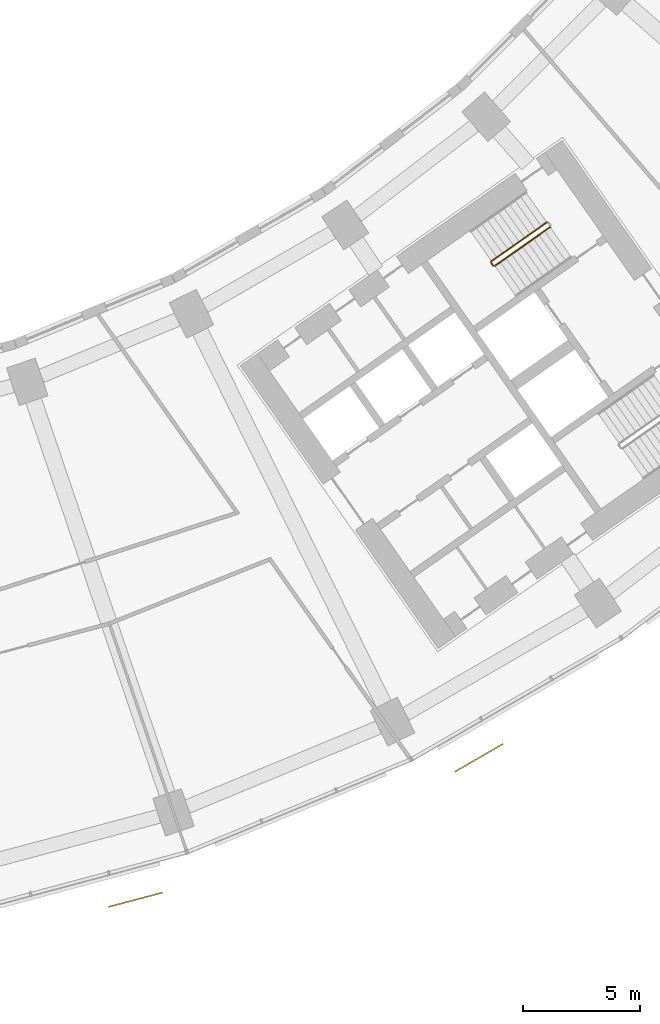
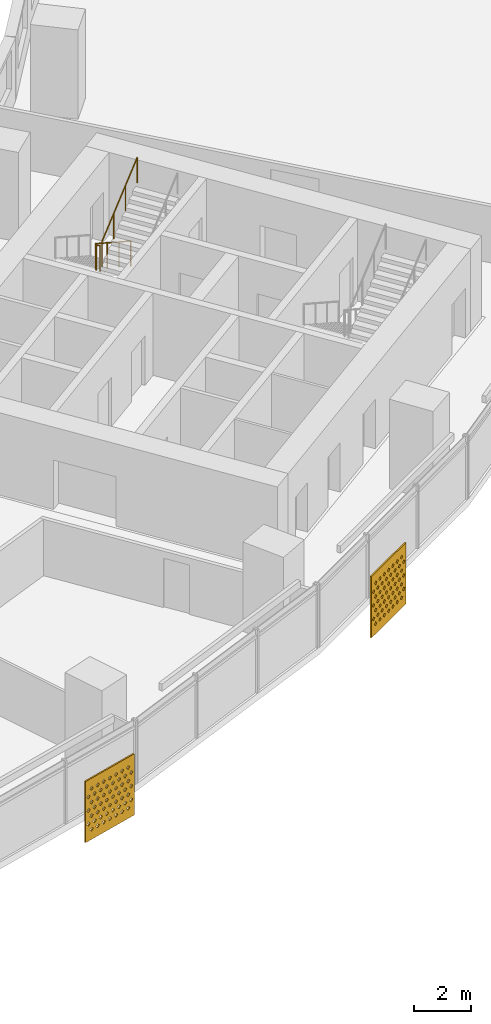
# One storey, part 29 of 31: 2 railings, 2 shading devices.
"""IFC4 building model written with IfcOpenShell, lengths in metres."""

from ifc_helpers import new_model, si_unit, direction, frame, origin, origin_2d, place, context, subcontext, project, spatial, polyline, circle, outline, extrude, material, material_profile, profile_set, type_object, element, save


model = new_model("IFC4")

# Units and contexts
model_context = context("Model", 3, precision=1e-05, world=origin(), true_north=direction((0.0, 1.0)))
body_context = subcontext(model_context, "Body", "Model", "MODEL_VIEW")
ifc_project = project(units=[si_unit("LENGTHUNIT", "METRE"), si_unit("AREAUNIT", "SQUARE_METRE"), si_unit("VOLUMEUNIT", "CUBIC_METRE"), si_unit("PLANEANGLEUNIT", "RADIAN"), si_unit("MASSUNIT", "GRAM", prefix="KILO")], contexts=[model_context])

# Site, building, storey
site_placement = place(None, origin())
site = spatial("IfcSite", under=ifc_project, at=site_placement, CompositionType="ELEMENT")
building_placement = place(site_placement, origin())
building = spatial("IfcBuilding", under=site, at=building_placement, Name="Qamariyya Broadcast Tower", CompositionType="ELEMENT")
storey_placement = place(building_placement, frame((0.0, 0.0, 82.300048828125)))
storey = spatial("IfcBuildingStorey", under=building, at=storey_placement, Name="L17", CompositionType="ELEMENT", Elevation=82.300048828125)

# Shading devices
ifc_material_1 = material(Name="Perforated glazed terracotta", Category="masonry")
ifc_material_profile = material_profile(ifc_material_1, outline(polyline([(-1.199951171875, -1.300048828125), (1.199951171875, -1.300048828125), (1.199951171875, 1.300048828125), (-1.199951171875, 1.300048828125), (-1.199951171875, -1.300048828125)]), holes=[polyline([(-0.81494140625, -0.86669921875), (-0.89990234375, -0.78173828125), (-0.985107421875, -0.86669921875), (-0.89990234375, -0.95166015625), (-0.81494140625, -0.86669921875)]), polyline([(-0.514892578125, -0.86669921875), (-0.60009765625, -0.78173828125), (-0.68505859375, -0.86669921875), (-0.60009765625, -0.95166015625), (-0.514892578125, -0.86669921875)]), polyline([(-0.215087890625, -0.86669921875), (-0.300048828125, -0.78173828125), (-0.385009765625, -0.86669921875), (-0.300048828125, -0.95166015625), (-0.215087890625, -0.86669921875)]), polyline([(0.0849609375, -0.86669921875), (0.0, -0.78173828125), (-0.0849609375, -0.86669921875), (0.0, -0.95166015625), (0.0849609375, -0.86669921875)]), polyline([(0.385009765625, -0.86669921875), (0.300048828125, -0.78173828125), (0.215087890625, -0.86669921875), (0.300048828125, -0.95166015625), (0.385009765625, -0.86669921875)]), polyline([(0.68505859375, -0.86669921875), (0.60009765625, -0.78173828125), (0.514892578125, -0.86669921875), (0.60009765625, -0.95166015625), (0.68505859375, -0.86669921875)]), polyline([(0.985107421875, -0.86669921875), (0.89990234375, -0.78173828125), (0.81494140625, -0.86669921875), (0.89990234375, -0.95166015625), (0.985107421875, -0.86669921875)]), polyline([(-0.965087890625, -0.577880859375), (-1.050048828125, -0.49267578125), (-1.135009765625, -0.577880859375), (-1.050048828125, -0.662841796875), (-0.965087890625, -0.577880859375)]), polyline([(-0.6650390625, -0.577880859375), (-0.75, -0.49267578125), (-0.8349609375, -0.577880859375), (-0.75, -0.662841796875), (-0.6650390625, -0.577880859375)]), polyline([(-0.364990234375, -0.577880859375), (-0.449951171875, -0.49267578125), (-0.534912109375, -0.577880859375), (-0.449951171875, -0.662841796875), (-0.364990234375, -0.577880859375)]), polyline([(-0.06494140625, -0.577880859375), (-0.14990234375, -0.49267578125), (-0.235107421875, -0.577880859375), (-0.14990234375, -0.662841796875), (-0.06494140625, -0.577880859375)]), polyline([(0.235107421875, -0.577880859375), (0.14990234375, -0.49267578125), (0.06494140625, -0.577880859375), (0.14990234375, -0.662841796875), (0.235107421875, -0.577880859375)]), polyline([(0.534912109375, -0.577880859375), (0.449951171875, -0.49267578125), (0.364990234375, -0.577880859375), (0.449951171875, -0.662841796875), (0.534912109375, -0.577880859375)]), polyline([(0.8349609375, -0.577880859375), (0.75, -0.49267578125), (0.6650390625, -0.577880859375), (0.75, -0.662841796875), (0.8349609375, -0.577880859375)]), polyline([(1.135009765625, -0.577880859375), (1.050048828125, -0.49267578125), (0.965087890625, -0.577880859375), (1.050048828125, -0.662841796875), (1.135009765625, -0.577880859375)]), polyline([(-0.81494140625, -0.288818359375), (-0.89990234375, -0.203857421875), (-0.985107421875, -0.288818359375), (-0.89990234375, -0.373779296875), (-0.81494140625, -0.288818359375)]), polyline([(-0.514892578125, -0.288818359375), (-0.60009765625, -0.203857421875), (-0.68505859375, -0.288818359375), (-0.60009765625, -0.373779296875), (-0.514892578125, -0.288818359375)]), polyline([(-0.215087890625, -0.288818359375), (-0.300048828125, -0.203857421875), (-0.385009765625, -0.288818359375), (-0.300048828125, -0.373779296875), (-0.215087890625, -0.288818359375)]), polyline([(0.0849609375, -0.288818359375), (0.0, -0.203857421875), (-0.0849609375, -0.288818359375), (0.0, -0.373779296875), (0.0849609375, -0.288818359375)]), polyline([(0.385009765625, -0.288818359375), (0.300048828125, -0.203857421875), (0.215087890625, -0.288818359375), (0.300048828125, -0.373779296875), (0.385009765625, -0.288818359375)]), polyline([(0.68505859375, -0.288818359375), (0.60009765625, -0.203857421875), (0.514892578125, -0.288818359375), (0.60009765625, -0.373779296875), (0.68505859375, -0.288818359375)]), polyline([(0.985107421875, -0.288818359375), (0.89990234375, -0.203857421875), (0.81494140625, -0.288818359375), (0.89990234375, -0.373779296875), (0.985107421875, -0.288818359375)]), polyline([(-0.965087890625, 0.0), (-1.050048828125, 0.0849609375), (-1.135009765625, 0.0), (-1.050048828125, -0.0849609375), (-0.965087890625, 0.0)]), polyline([(-0.6650390625, 0.0), (-0.75, 0.0849609375), (-0.8349609375, 0.0), (-0.75, -0.0849609375), (-0.6650390625, 0.0)]), polyline([(-0.364990234375, 0.0), (-0.449951171875, 0.0849609375), (-0.534912109375, 0.0), (-0.449951171875, -0.0849609375), (-0.364990234375, 0.0)]), polyline([(-0.06494140625, 0.0), (-0.14990234375, 0.0849609375), (-0.235107421875, 0.0), (-0.14990234375, -0.0849609375), (-0.06494140625, 0.0)]), polyline([(0.235107421875, 0.0), (0.14990234375, 0.0849609375), (0.06494140625, 0.0), (0.14990234375, -0.0849609375), (0.235107421875, 0.0)]), polyline([(0.534912109375, 0.0), (0.449951171875, 0.0849609375), (0.364990234375, 0.0), (0.449951171875, -0.0849609375), (0.534912109375, 0.0)]), polyline([(0.8349609375, 0.0), (0.75, 0.0849609375), (0.6650390625, 0.0), (0.75, -0.0849609375), (0.8349609375, 0.0)]), polyline([(1.135009765625, 0.0), (1.050048828125, 0.0849609375), (0.965087890625, 0.0), (1.050048828125, -0.0849609375), (1.135009765625, 0.0)]), polyline([(-0.81494140625, 0.288818359375), (-0.89990234375, 0.373779296875), (-0.985107421875, 0.288818359375), (-0.89990234375, 0.203857421875), (-0.81494140625, 0.288818359375)]), polyline([(-0.514892578125, 0.288818359375), (-0.60009765625, 0.373779296875), (-0.68505859375, 0.288818359375), (-0.60009765625, 0.203857421875), (-0.514892578125, 0.288818359375)]), polyline([(-0.215087890625, 0.288818359375), (-0.300048828125, 0.373779296875), (-0.385009765625, 0.288818359375), (-0.300048828125, 0.203857421875), (-0.215087890625, 0.288818359375)]), polyline([(0.0849609375, 0.288818359375), (0.0, 0.373779296875), (-0.0849609375, 0.288818359375), (0.0, 0.203857421875), (0.0849609375, 0.288818359375)]), polyline([(0.385009765625, 0.288818359375), (0.300048828125, 0.373779296875), (0.215087890625, 0.288818359375), (0.300048828125, 0.203857421875), (0.385009765625, 0.288818359375)]), polyline([(0.68505859375, 0.288818359375), (0.60009765625, 0.373779296875), (0.514892578125, 0.288818359375), (0.60009765625, 0.203857421875), (0.68505859375, 0.288818359375)]), polyline([(0.985107421875, 0.288818359375), (0.89990234375, 0.373779296875), (0.81494140625, 0.288818359375), (0.89990234375, 0.203857421875), (0.985107421875, 0.288818359375)]), polyline([(-0.965087890625, 0.577880859375), (-1.050048828125, 0.662841796875), (-1.135009765625, 0.577880859375), (-1.050048828125, 0.49267578125), (-0.965087890625, 0.577880859375)]), polyline([(-0.6650390625, 0.577880859375), (-0.75, 0.662841796875), (-0.8349609375, 0.577880859375), (-0.75, 0.49267578125), (-0.6650390625, 0.577880859375)]), polyline([(-0.364990234375, 0.577880859375), (-0.449951171875, 0.662841796875), (-0.534912109375, 0.577880859375), (-0.449951171875, 0.49267578125), (-0.364990234375, 0.577880859375)]), polyline([(-0.06494140625, 0.577880859375), (-0.14990234375, 0.662841796875), (-0.235107421875, 0.577880859375), (-0.14990234375, 0.49267578125), (-0.06494140625, 0.577880859375)]), polyline([(0.235107421875, 0.577880859375), (0.14990234375, 0.662841796875), (0.06494140625, 0.577880859375), (0.14990234375, 0.49267578125), (0.235107421875, 0.577880859375)]), polyline([(0.534912109375, 0.577880859375), (0.449951171875, 0.662841796875), (0.364990234375, 0.577880859375), (0.449951171875, 0.49267578125), (0.534912109375, 0.577880859375)]), polyline([(0.8349609375, 0.577880859375), (0.75, 0.662841796875), (0.6650390625, 0.577880859375), (0.75, 0.49267578125), (0.8349609375, 0.577880859375)]), polyline([(1.135009765625, 0.577880859375), (1.050048828125, 0.662841796875), (0.965087890625, 0.577880859375), (1.050048828125, 0.49267578125), (1.135009765625, 0.577880859375)]), polyline([(-0.81494140625, 0.86669921875), (-0.89990234375, 0.95166015625), (-0.985107421875, 0.86669921875), (-0.89990234375, 0.78173828125), (-0.81494140625, 0.86669921875)]), polyline([(-0.514892578125, 0.86669921875), (-0.60009765625, 0.95166015625), (-0.68505859375, 0.86669921875), (-0.60009765625, 0.78173828125), (-0.514892578125, 0.86669921875)]), polyline([(-0.215087890625, 0.86669921875), (-0.300048828125, 0.95166015625), (-0.385009765625, 0.86669921875), (-0.300048828125, 0.78173828125), (-0.215087890625, 0.86669921875)]), polyline([(0.0849609375, 0.86669921875), (0.0, 0.95166015625), (-0.0849609375, 0.86669921875), (0.0, 0.78173828125), (0.0849609375, 0.86669921875)]), polyline([(0.385009765625, 0.86669921875), (0.300048828125, 0.95166015625), (0.215087890625, 0.86669921875), (0.300048828125, 0.78173828125), (0.385009765625, 0.86669921875)]), polyline([(0.68505859375, 0.86669921875), (0.60009765625, 0.95166015625), (0.514892578125, 0.86669921875), (0.60009765625, 0.78173828125), (0.68505859375, 0.86669921875)]), polyline([(0.985107421875, 0.86669921875), (0.89990234375, 0.95166015625), (0.81494140625, 0.86669921875), (0.89990234375, 0.78173828125), (0.985107421875, 0.86669921875)])]))
ifc_profile_set = profile_set([ifc_material_profile], Name="Perforated glazed terracotta")
shading_device_type = type_object("IfcShadingDeviceType", Name="Perforated terracotta screen 2400 x 2600", PredefinedType="USERDEFINED", material=ifc_profile_set)
shading_device_1_placement = place(storey_placement, frame((23.364990234375, -77.33740234375, 1.349853515625), z_axis=(0.256901156343, -0.966437683387, 0.0), x_axis=(0.966437683387, 0.256901156343, 0.0)))
element("IfcShadingDevice", 1, at=shading_device_1_placement, inside=storey, type_object=shading_device_type, Name="e-scr-L17-10-2", ObjectType="SCREEN", PredefinedType="USERDEFINED", context=body_context, shape_type="SweptSolid", body=[
    extrude(outline(polyline([(-1.199951171875, -1.300048828125), (1.199951171875, -1.300048828125), (1.199951171875, 1.300048828125), (-1.199951171875, 1.300048828125), (-1.199951171875, -1.300048828125)]), holes=[polyline([(-0.81494140625, -0.86669921875), (-0.89990234375, -0.78173828125), (-0.985107421875, -0.86669921875), (-0.89990234375, -0.95166015625), (-0.81494140625, -0.86669921875)]), polyline([(-0.514892578125, -0.86669921875), (-0.60009765625, -0.78173828125), (-0.68505859375, -0.86669921875), (-0.60009765625, -0.95166015625), (-0.514892578125, -0.86669921875)]), polyline([(-0.215087890625, -0.86669921875), (-0.300048828125, -0.78173828125), (-0.385009765625, -0.86669921875), (-0.300048828125, -0.95166015625), (-0.215087890625, -0.86669921875)]), polyline([(0.0849609375, -0.86669921875), (0.0, -0.78173828125), (-0.0849609375, -0.86669921875), (0.0, -0.95166015625), (0.0849609375, -0.86669921875)]), polyline([(0.385009765625, -0.86669921875), (0.300048828125, -0.78173828125), (0.215087890625, -0.86669921875), (0.300048828125, -0.95166015625), (0.385009765625, -0.86669921875)]), polyline([(0.68505859375, -0.86669921875), (0.60009765625, -0.78173828125), (0.514892578125, -0.86669921875), (0.60009765625, -0.95166015625), (0.68505859375, -0.86669921875)]), polyline([(0.985107421875, -0.86669921875), (0.89990234375, -0.78173828125), (0.81494140625, -0.86669921875), (0.89990234375, -0.95166015625), (0.985107421875, -0.86669921875)]), polyline([(-0.965087890625, -0.577880859375), (-1.050048828125, -0.49267578125), (-1.135009765625, -0.577880859375), (-1.050048828125, -0.662841796875), (-0.965087890625, -0.577880859375)]), polyline([(-0.6650390625, -0.577880859375), (-0.75, -0.49267578125), (-0.8349609375, -0.577880859375), (-0.75, -0.662841796875), (-0.6650390625, -0.577880859375)]), polyline([(-0.364990234375, -0.577880859375), (-0.449951171875, -0.49267578125), (-0.534912109375, -0.577880859375), (-0.449951171875, -0.662841796875), (-0.364990234375, -0.577880859375)]), polyline([(-0.06494140625, -0.577880859375), (-0.14990234375, -0.49267578125), (-0.235107421875, -0.577880859375), (-0.14990234375, -0.662841796875), (-0.06494140625, -0.577880859375)]), polyline([(0.235107421875, -0.577880859375), (0.14990234375, -0.49267578125), (0.06494140625, -0.577880859375), (0.14990234375, -0.662841796875), (0.235107421875, -0.577880859375)]), polyline([(0.534912109375, -0.577880859375), (0.449951171875, -0.49267578125), (0.364990234375, -0.577880859375), (0.449951171875, -0.662841796875), (0.534912109375, -0.577880859375)]), polyline([(0.8349609375, -0.577880859375), (0.75, -0.49267578125), (0.6650390625, -0.577880859375), (0.75, -0.662841796875), (0.8349609375, -0.577880859375)]), polyline([(1.135009765625, -0.577880859375), (1.050048828125, -0.49267578125), (0.965087890625, -0.577880859375), (1.050048828125, -0.662841796875), (1.135009765625, -0.577880859375)]), polyline([(-0.81494140625, -0.288818359375), (-0.89990234375, -0.203857421875), (-0.985107421875, -0.288818359375), (-0.89990234375, -0.373779296875), (-0.81494140625, -0.288818359375)]), polyline([(-0.514892578125, -0.288818359375), (-0.60009765625, -0.203857421875), (-0.68505859375, -0.288818359375), (-0.60009765625, -0.373779296875), (-0.514892578125, -0.288818359375)]), polyline([(-0.215087890625, -0.288818359375), (-0.300048828125, -0.203857421875), (-0.385009765625, -0.288818359375), (-0.300048828125, -0.373779296875), (-0.215087890625, -0.288818359375)]), polyline([(0.0849609375, -0.288818359375), (0.0, -0.203857421875), (-0.0849609375, -0.288818359375), (0.0, -0.373779296875), (0.0849609375, -0.288818359375)]), polyline([(0.385009765625, -0.288818359375), (0.300048828125, -0.203857421875), (0.215087890625, -0.288818359375), (0.300048828125, -0.373779296875), (0.385009765625, -0.288818359375)]), polyline([(0.68505859375, -0.288818359375), (0.60009765625, -0.203857421875), (0.514892578125, -0.288818359375), (0.60009765625, -0.373779296875), (0.68505859375, -0.288818359375)]), polyline([(0.985107421875, -0.288818359375), (0.89990234375, -0.203857421875), (0.81494140625, -0.288818359375), (0.89990234375, -0.373779296875), (0.985107421875, -0.288818359375)]), polyline([(-0.965087890625, 0.0), (-1.050048828125, 0.0849609375), (-1.135009765625, 0.0), (-1.050048828125, -0.0849609375), (-0.965087890625, 0.0)]), polyline([(-0.6650390625, 0.0), (-0.75, 0.0849609375), (-0.8349609375, 0.0), (-0.75, -0.0849609375), (-0.6650390625, 0.0)]), polyline([(-0.364990234375, 0.0), (-0.449951171875, 0.0849609375), (-0.534912109375, 0.0), (-0.449951171875, -0.0849609375), (-0.364990234375, 0.0)]), polyline([(-0.06494140625, 0.0), (-0.14990234375, 0.0849609375), (-0.235107421875, 0.0), (-0.14990234375, -0.0849609375), (-0.06494140625, 0.0)]), polyline([(0.235107421875, 0.0), (0.14990234375, 0.0849609375), (0.06494140625, 0.0), (0.14990234375, -0.0849609375), (0.235107421875, 0.0)]), polyline([(0.534912109375, 0.0), (0.449951171875, 0.0849609375), (0.364990234375, 0.0), (0.449951171875, -0.0849609375), (0.534912109375, 0.0)]), polyline([(0.8349609375, 0.0), (0.75, 0.0849609375), (0.6650390625, 0.0), (0.75, -0.0849609375), (0.8349609375, 0.0)]), polyline([(1.135009765625, 0.0), (1.050048828125, 0.0849609375), (0.965087890625, 0.0), (1.050048828125, -0.0849609375), (1.135009765625, 0.0)]), polyline([(-0.81494140625, 0.288818359375), (-0.89990234375, 0.373779296875), (-0.985107421875, 0.288818359375), (-0.89990234375, 0.203857421875), (-0.81494140625, 0.288818359375)]), polyline([(-0.514892578125, 0.288818359375), (-0.60009765625, 0.373779296875), (-0.68505859375, 0.288818359375), (-0.60009765625, 0.203857421875), (-0.514892578125, 0.288818359375)]), polyline([(-0.215087890625, 0.288818359375), (-0.300048828125, 0.373779296875), (-0.385009765625, 0.288818359375), (-0.300048828125, 0.203857421875), (-0.215087890625, 0.288818359375)]), polyline([(0.0849609375, 0.288818359375), (0.0, 0.373779296875), (-0.0849609375, 0.288818359375), (0.0, 0.203857421875), (0.0849609375, 0.288818359375)]), polyline([(0.385009765625, 0.288818359375), (0.300048828125, 0.373779296875), (0.215087890625, 0.288818359375), (0.300048828125, 0.203857421875), (0.385009765625, 0.288818359375)]), polyline([(0.68505859375, 0.288818359375), (0.60009765625, 0.373779296875), (0.514892578125, 0.288818359375), (0.60009765625, 0.203857421875), (0.68505859375, 0.288818359375)]), polyline([(0.985107421875, 0.288818359375), (0.89990234375, 0.373779296875), (0.81494140625, 0.288818359375), (0.89990234375, 0.203857421875), (0.985107421875, 0.288818359375)]), polyline([(-0.965087890625, 0.577880859375), (-1.050048828125, 0.662841796875), (-1.135009765625, 0.577880859375), (-1.050048828125, 0.49267578125), (-0.965087890625, 0.577880859375)]), polyline([(-0.6650390625, 0.577880859375), (-0.75, 0.662841796875), (-0.8349609375, 0.577880859375), (-0.75, 0.49267578125), (-0.6650390625, 0.577880859375)]), polyline([(-0.364990234375, 0.577880859375), (-0.449951171875, 0.662841796875), (-0.534912109375, 0.577880859375), (-0.449951171875, 0.49267578125), (-0.364990234375, 0.577880859375)]), polyline([(-0.06494140625, 0.577880859375), (-0.14990234375, 0.662841796875), (-0.235107421875, 0.577880859375), (-0.14990234375, 0.49267578125), (-0.06494140625, 0.577880859375)]), polyline([(0.235107421875, 0.577880859375), (0.14990234375, 0.662841796875), (0.06494140625, 0.577880859375), (0.14990234375, 0.49267578125), (0.235107421875, 0.577880859375)]), polyline([(0.534912109375, 0.577880859375), (0.449951171875, 0.662841796875), (0.364990234375, 0.577880859375), (0.449951171875, 0.49267578125), (0.534912109375, 0.577880859375)]), polyline([(0.8349609375, 0.577880859375), (0.75, 0.662841796875), (0.6650390625, 0.577880859375), (0.75, 0.49267578125), (0.8349609375, 0.577880859375)]), polyline([(1.135009765625, 0.577880859375), (1.050048828125, 0.662841796875), (0.965087890625, 0.577880859375), (1.050048828125, 0.49267578125), (1.135009765625, 0.577880859375)]), polyline([(-0.81494140625, 0.86669921875), (-0.89990234375, 0.95166015625), (-0.985107421875, 0.86669921875), (-0.89990234375, 0.78173828125), (-0.81494140625, 0.86669921875)]), polyline([(-0.514892578125, 0.86669921875), (-0.60009765625, 0.95166015625), (-0.68505859375, 0.86669921875), (-0.60009765625, 0.78173828125), (-0.514892578125, 0.86669921875)]), polyline([(-0.215087890625, 0.86669921875), (-0.300048828125, 0.95166015625), (-0.385009765625, 0.86669921875), (-0.300048828125, 0.78173828125), (-0.215087890625, 0.86669921875)]), polyline([(0.0849609375, 0.86669921875), (0.0, 0.95166015625), (-0.0849609375, 0.86669921875), (0.0, 0.78173828125), (0.0849609375, 0.86669921875)]), polyline([(0.385009765625, 0.86669921875), (0.300048828125, 0.95166015625), (0.215087890625, 0.86669921875), (0.300048828125, 0.78173828125), (0.385009765625, 0.86669921875)]), polyline([(0.68505859375, 0.86669921875), (0.60009765625, 0.95166015625), (0.514892578125, 0.86669921875), (0.60009765625, 0.78173828125), (0.68505859375, 0.86669921875)]), polyline([(0.985107421875, 0.86669921875), (0.89990234375, 0.95166015625), (0.81494140625, 0.86669921875), (0.89990234375, 0.78173828125), (0.985107421875, 0.86669921875)])]), origin(), (0.0, 0.0, 1.0), 0.059814453125),
])
shading_device_2_placement = place(storey_placement, frame((38.07373046875, -71.259521484375, 1.349853515625), z_axis=(0.500074377092, -0.865982457891, 0.0), x_axis=(0.865982457891, 0.500074377092, 0.0)))
element("IfcShadingDevice", 2, at=shading_device_2_placement, inside=storey, type_object=shading_device_type, Name="e-scr-L17-12-0", ObjectType="SCREEN", PredefinedType="USERDEFINED", context=body_context, shape_type="SweptSolid", body=[
    extrude(outline(polyline([(-1.199951171875, -1.300048828125), (1.199951171875, -1.300048828125), (1.199951171875, 1.300048828125), (-1.199951171875, 1.300048828125), (-1.199951171875, -1.300048828125)]), holes=[polyline([(-0.81494140625, -0.86669921875), (-0.89990234375, -0.78173828125), (-0.985107421875, -0.86669921875), (-0.89990234375, -0.95166015625), (-0.81494140625, -0.86669921875)]), polyline([(-0.514892578125, -0.86669921875), (-0.60009765625, -0.78173828125), (-0.68505859375, -0.86669921875), (-0.60009765625, -0.95166015625), (-0.514892578125, -0.86669921875)]), polyline([(-0.215087890625, -0.86669921875), (-0.300048828125, -0.78173828125), (-0.385009765625, -0.86669921875), (-0.300048828125, -0.95166015625), (-0.215087890625, -0.86669921875)]), polyline([(0.0849609375, -0.86669921875), (0.0, -0.78173828125), (-0.0849609375, -0.86669921875), (0.0, -0.95166015625), (0.0849609375, -0.86669921875)]), polyline([(0.385009765625, -0.86669921875), (0.300048828125, -0.78173828125), (0.215087890625, -0.86669921875), (0.300048828125, -0.95166015625), (0.385009765625, -0.86669921875)]), polyline([(0.68505859375, -0.86669921875), (0.60009765625, -0.78173828125), (0.514892578125, -0.86669921875), (0.60009765625, -0.95166015625), (0.68505859375, -0.86669921875)]), polyline([(0.985107421875, -0.86669921875), (0.89990234375, -0.78173828125), (0.81494140625, -0.86669921875), (0.89990234375, -0.95166015625), (0.985107421875, -0.86669921875)]), polyline([(-0.965087890625, -0.577880859375), (-1.050048828125, -0.49267578125), (-1.135009765625, -0.577880859375), (-1.050048828125, -0.662841796875), (-0.965087890625, -0.577880859375)]), polyline([(-0.6650390625, -0.577880859375), (-0.75, -0.49267578125), (-0.8349609375, -0.577880859375), (-0.75, -0.662841796875), (-0.6650390625, -0.577880859375)]), polyline([(-0.364990234375, -0.577880859375), (-0.449951171875, -0.49267578125), (-0.534912109375, -0.577880859375), (-0.449951171875, -0.662841796875), (-0.364990234375, -0.577880859375)]), polyline([(-0.06494140625, -0.577880859375), (-0.14990234375, -0.49267578125), (-0.235107421875, -0.577880859375), (-0.14990234375, -0.662841796875), (-0.06494140625, -0.577880859375)]), polyline([(0.235107421875, -0.577880859375), (0.14990234375, -0.49267578125), (0.06494140625, -0.577880859375), (0.14990234375, -0.662841796875), (0.235107421875, -0.577880859375)]), polyline([(0.534912109375, -0.577880859375), (0.449951171875, -0.49267578125), (0.364990234375, -0.577880859375), (0.449951171875, -0.662841796875), (0.534912109375, -0.577880859375)]), polyline([(0.8349609375, -0.577880859375), (0.75, -0.49267578125), (0.6650390625, -0.577880859375), (0.75, -0.662841796875), (0.8349609375, -0.577880859375)]), polyline([(1.135009765625, -0.577880859375), (1.050048828125, -0.49267578125), (0.965087890625, -0.577880859375), (1.050048828125, -0.662841796875), (1.135009765625, -0.577880859375)]), polyline([(-0.81494140625, -0.288818359375), (-0.89990234375, -0.203857421875), (-0.985107421875, -0.288818359375), (-0.89990234375, -0.373779296875), (-0.81494140625, -0.288818359375)]), polyline([(-0.514892578125, -0.288818359375), (-0.60009765625, -0.203857421875), (-0.68505859375, -0.288818359375), (-0.60009765625, -0.373779296875), (-0.514892578125, -0.288818359375)]), polyline([(-0.215087890625, -0.288818359375), (-0.300048828125, -0.203857421875), (-0.385009765625, -0.288818359375), (-0.300048828125, -0.373779296875), (-0.215087890625, -0.288818359375)]), polyline([(0.0849609375, -0.288818359375), (0.0, -0.203857421875), (-0.0849609375, -0.288818359375), (0.0, -0.373779296875), (0.0849609375, -0.288818359375)]), polyline([(0.385009765625, -0.288818359375), (0.300048828125, -0.203857421875), (0.215087890625, -0.288818359375), (0.300048828125, -0.373779296875), (0.385009765625, -0.288818359375)]), polyline([(0.68505859375, -0.288818359375), (0.60009765625, -0.203857421875), (0.514892578125, -0.288818359375), (0.60009765625, -0.373779296875), (0.68505859375, -0.288818359375)]), polyline([(0.985107421875, -0.288818359375), (0.89990234375, -0.203857421875), (0.81494140625, -0.288818359375), (0.89990234375, -0.373779296875), (0.985107421875, -0.288818359375)]), polyline([(-0.965087890625, 0.0), (-1.050048828125, 0.0849609375), (-1.135009765625, 0.0), (-1.050048828125, -0.0849609375), (-0.965087890625, 0.0)]), polyline([(-0.6650390625, 0.0), (-0.75, 0.0849609375), (-0.8349609375, 0.0), (-0.75, -0.0849609375), (-0.6650390625, 0.0)]), polyline([(-0.364990234375, 0.0), (-0.449951171875, 0.0849609375), (-0.534912109375, 0.0), (-0.449951171875, -0.0849609375), (-0.364990234375, 0.0)]), polyline([(-0.06494140625, 0.0), (-0.14990234375, 0.0849609375), (-0.235107421875, 0.0), (-0.14990234375, -0.0849609375), (-0.06494140625, 0.0)]), polyline([(0.235107421875, 0.0), (0.14990234375, 0.0849609375), (0.06494140625, 0.0), (0.14990234375, -0.0849609375), (0.235107421875, 0.0)]), polyline([(0.534912109375, 0.0), (0.449951171875, 0.0849609375), (0.364990234375, 0.0), (0.449951171875, -0.0849609375), (0.534912109375, 0.0)]), polyline([(0.8349609375, 0.0), (0.75, 0.0849609375), (0.6650390625, 0.0), (0.75, -0.0849609375), (0.8349609375, 0.0)]), polyline([(1.135009765625, 0.0), (1.050048828125, 0.0849609375), (0.965087890625, 0.0), (1.050048828125, -0.0849609375), (1.135009765625, 0.0)]), polyline([(-0.81494140625, 0.288818359375), (-0.89990234375, 0.373779296875), (-0.985107421875, 0.288818359375), (-0.89990234375, 0.203857421875), (-0.81494140625, 0.288818359375)]), polyline([(-0.514892578125, 0.288818359375), (-0.60009765625, 0.373779296875), (-0.68505859375, 0.288818359375), (-0.60009765625, 0.203857421875), (-0.514892578125, 0.288818359375)]), polyline([(-0.215087890625, 0.288818359375), (-0.300048828125, 0.373779296875), (-0.385009765625, 0.288818359375), (-0.300048828125, 0.203857421875), (-0.215087890625, 0.288818359375)]), polyline([(0.0849609375, 0.288818359375), (0.0, 0.373779296875), (-0.0849609375, 0.288818359375), (0.0, 0.203857421875), (0.0849609375, 0.288818359375)]), polyline([(0.385009765625, 0.288818359375), (0.300048828125, 0.373779296875), (0.215087890625, 0.288818359375), (0.300048828125, 0.203857421875), (0.385009765625, 0.288818359375)]), polyline([(0.68505859375, 0.288818359375), (0.60009765625, 0.373779296875), (0.514892578125, 0.288818359375), (0.60009765625, 0.203857421875), (0.68505859375, 0.288818359375)]), polyline([(0.985107421875, 0.288818359375), (0.89990234375, 0.373779296875), (0.81494140625, 0.288818359375), (0.89990234375, 0.203857421875), (0.985107421875, 0.288818359375)]), polyline([(-0.965087890625, 0.577880859375), (-1.050048828125, 0.662841796875), (-1.135009765625, 0.577880859375), (-1.050048828125, 0.49267578125), (-0.965087890625, 0.577880859375)]), polyline([(-0.6650390625, 0.577880859375), (-0.75, 0.662841796875), (-0.8349609375, 0.577880859375), (-0.75, 0.49267578125), (-0.6650390625, 0.577880859375)]), polyline([(-0.364990234375, 0.577880859375), (-0.449951171875, 0.662841796875), (-0.534912109375, 0.577880859375), (-0.449951171875, 0.49267578125), (-0.364990234375, 0.577880859375)]), polyline([(-0.06494140625, 0.577880859375), (-0.14990234375, 0.662841796875), (-0.235107421875, 0.577880859375), (-0.14990234375, 0.49267578125), (-0.06494140625, 0.577880859375)]), polyline([(0.235107421875, 0.577880859375), (0.14990234375, 0.662841796875), (0.06494140625, 0.577880859375), (0.14990234375, 0.49267578125), (0.235107421875, 0.577880859375)]), polyline([(0.534912109375, 0.577880859375), (0.449951171875, 0.662841796875), (0.364990234375, 0.577880859375), (0.449951171875, 0.49267578125), (0.534912109375, 0.577880859375)]), polyline([(0.8349609375, 0.577880859375), (0.75, 0.662841796875), (0.6650390625, 0.577880859375), (0.75, 0.49267578125), (0.8349609375, 0.577880859375)]), polyline([(1.135009765625, 0.577880859375), (1.050048828125, 0.662841796875), (0.965087890625, 0.577880859375), (1.050048828125, 0.49267578125), (1.135009765625, 0.577880859375)]), polyline([(-0.81494140625, 0.86669921875), (-0.89990234375, 0.95166015625), (-0.985107421875, 0.86669921875), (-0.89990234375, 0.78173828125), (-0.81494140625, 0.86669921875)]), polyline([(-0.514892578125, 0.86669921875), (-0.60009765625, 0.95166015625), (-0.68505859375, 0.86669921875), (-0.60009765625, 0.78173828125), (-0.514892578125, 0.86669921875)]), polyline([(-0.215087890625, 0.86669921875), (-0.300048828125, 0.95166015625), (-0.385009765625, 0.86669921875), (-0.300048828125, 0.78173828125), (-0.215087890625, 0.86669921875)]), polyline([(0.0849609375, 0.86669921875), (0.0, 0.95166015625), (-0.0849609375, 0.86669921875), (0.0, 0.78173828125), (0.0849609375, 0.86669921875)]), polyline([(0.385009765625, 0.86669921875), (0.300048828125, 0.95166015625), (0.215087890625, 0.86669921875), (0.300048828125, 0.78173828125), (0.385009765625, 0.86669921875)]), polyline([(0.68505859375, 0.86669921875), (0.60009765625, 0.95166015625), (0.514892578125, 0.86669921875), (0.60009765625, 0.78173828125), (0.68505859375, 0.86669921875)]), polyline([(0.985107421875, 0.86669921875), (0.89990234375, 0.95166015625), (0.81494140625, 0.86669921875), (0.89990234375, 0.78173828125), (0.985107421875, 0.86669921875)])]), origin(), (0.0, 0.0, 1.0), 0.06005859375),
])

# Railings
ifc_material_2 = material(Name="Painted steel", Category="steel")
railing_type = type_object("IfcRailingType", Name="Stair guard", PredefinedType="GUARDRAIL", material=ifc_material_2)
railing_1_placement = place(storey_placement, frame((41.003173828125, -48.320068359375, 0.172607421875)))
element("IfcRailing", 3, at=railing_1_placement, inside=storey, type_object=railing_type, Name="L17 ST-E2 stair guard 1", PredefinedType="GUARDRAIL", context=body_context, shape_type="SweptSolid", body=[
    extrude(circle(Radius=0.02392578125, at=origin_2d()), frame((0.0, 0.0, 1.076171875), z_axis=(-0.703770094002, -0.492783725636, 0.511734163933), x_axis=(0.573575343427, -0.819152809562, 0.0)), (0.0, 0.0, 1.0), 3.37548828125),
    extrude(circle(Radius=0.02392578125, at=origin_2d()), frame((-2.37548828125, -1.663330078125, 2.80322265625), z_axis=(-0.172799478008, -0.984957024646, 0.0), x_axis=(0.984957024646, -0.172799478008, 0.0)), (0.0, 0.0, 1.0), 0.070556640625),
    extrude(circle(Radius=0.02392578125, at=origin_2d()), frame((-2.3876953125, -1.73291015625, 2.80322265625), z_axis=(0.572588637393, -0.819842821722, 0.0), x_axis=(0.819842821722, 0.572588637393, 0.0)), (0.0, 0.0, 1.0), 0.150146484375),
    extrude(circle(Radius=0.02099609375, at=origin_2d()), origin(), (0.0, 0.0, 1.0), 1.052001953125),
    extrude(circle(Radius=0.02099609375, at=origin_2d()), frame((-0.791748046875, -0.554443359375, 0.57568359375)), (0.0, 0.0, 1.0), 1.052001953125),
    extrude(circle(Radius=0.02099609375, at=origin_2d()), frame((-1.583740234375, -1.10888671875, 1.151611328125)), (0.0, 0.0, 1.0), 1.052001953125),
    extrude(circle(Radius=0.02099609375, at=origin_2d()), frame((-2.37548828125, -1.663330078125, 1.727294921875)), (0.0, 0.0, 1.0), 1.052001953125),
    extrude(circle(Radius=0.02099609375, at=origin_2d()), frame((-2.3876953125, -1.73291015625, 1.727294921875)), (0.0, 0.0, 1.0), 1.052001953125),
    extrude(circle(Radius=0.02099609375, at=origin_2d()), frame((-2.3017578125, -1.85595703125, 1.727294921875)), (0.0, 0.0, 1.0), 1.052001953125),
])
railing_2_placement = place(storey_placement, frame((38.771240234375, -50.188232421875, 2.07275390625)))
element("IfcRailing", 4, at=railing_2_placement, inside=storey, type_object=railing_type, Name="L17 ST-E2 stair guard 2", PredefinedType="GUARDRAIL", context=body_context, shape_type="SweptSolid", body=[
    extrude(circle(Radius=0.02392578125, at=origin_2d()), frame((0.0, 0.0, 1.076171875), z_axis=(0.703770094002, 0.492783725636, 0.511734163933), x_axis=(-0.573575343427, 0.819152809562, 0.0)), (0.0, 0.0, 1.0), 3.37548828125),
    extrude(circle(Radius=0.02099609375, at=origin_2d()), origin(), (0.0, 0.0, 1.0), 1.052001953125),
    extrude(circle(Radius=0.02099609375, at=origin_2d()), frame((0.791748046875, 0.554443359375, 0.57568359375)), (0.0, 0.0, 1.0), 1.052001953125),
    extrude(circle(Radius=0.02099609375, at=origin_2d()), frame((1.583740234375, 1.10888671875, 1.151611328125)), (0.0, 0.0, 1.0), 1.052001953125),
    extrude(circle(Radius=0.02099609375, at=origin_2d()), frame((2.37548828125, 1.663330078125, 1.727294921875)), (0.0, 0.0, 1.0), 1.052001953125),
])

save(model, "model.ifc")
